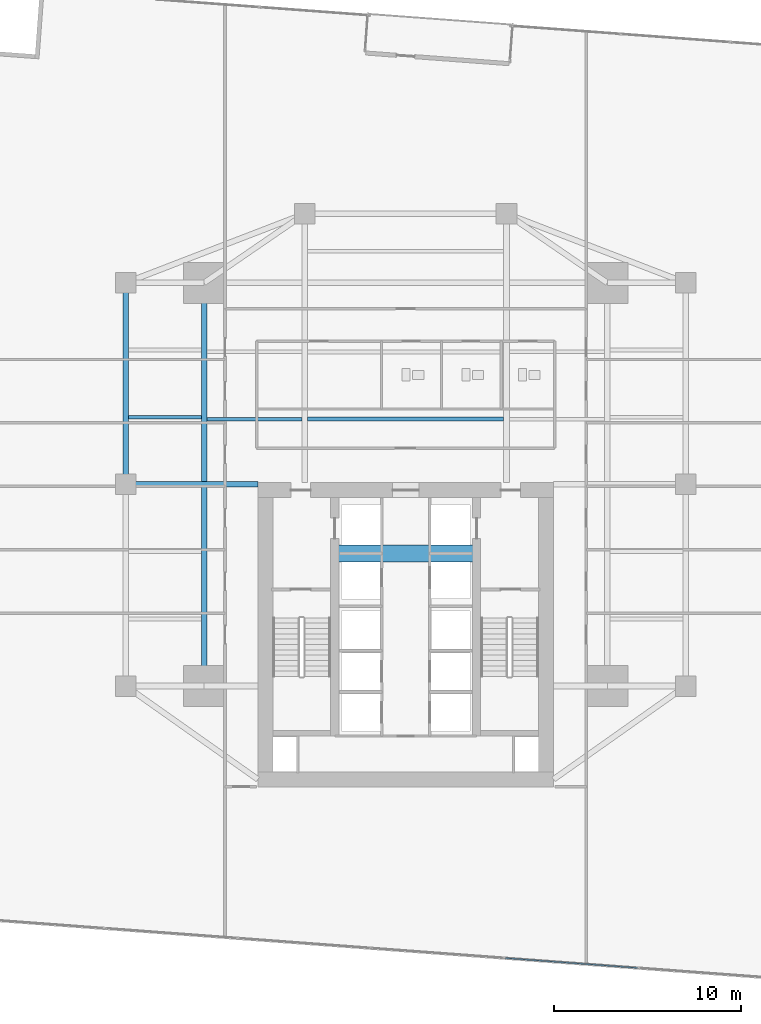
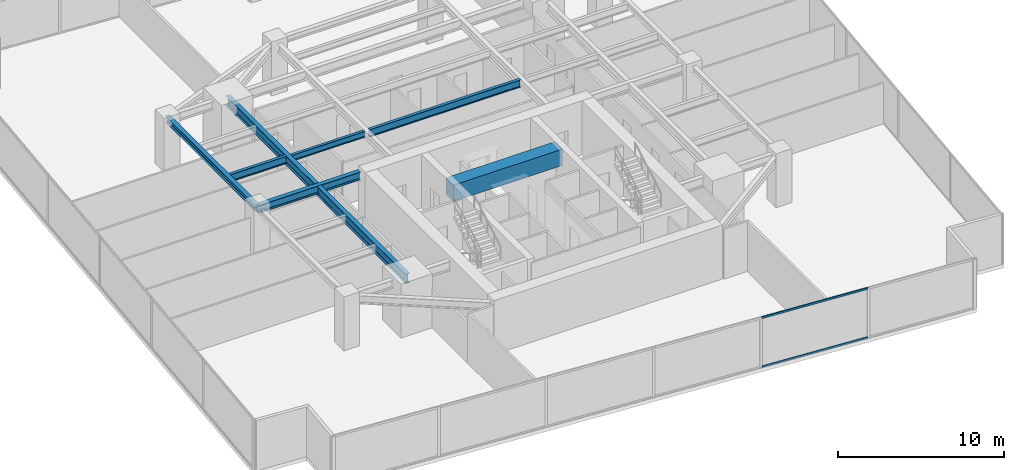
# One storey, part 11 of 30: 7 beams, 2 members, 1 element without a shape of its own.
"""IFC4 building model written with IfcOpenShell, lengths in metres."""

from ifc_helpers import new_model, si_unit, direction, frame, origin, origin_2d, place, context, subcontext, project, spatial, rectangle, hollow_rectangle, i_section, extrude, source, transform, mapped, material, material_profile, profile_set, type_object, type_shapes, element, aggregate, save


model = new_model("IFC4")

# Units and contexts
model_context = context("Model", 3, precision=1e-05, world=origin(), true_north=direction((0.0, 1.0)))
body_context = subcontext(model_context, "Body", "Model", "MODEL_VIEW")
ifc_project = project(units=[si_unit("LENGTHUNIT", "METRE"), si_unit("AREAUNIT", "SQUARE_METRE"), si_unit("VOLUMEUNIT", "CUBIC_METRE"), si_unit("PLANEANGLEUNIT", "RADIAN"), si_unit("MASSUNIT", "GRAM", prefix="KILO")], contexts=[model_context])

# Site, building, storey
site_placement = place(None, origin())
site = spatial("IfcSite", under=ifc_project, at=site_placement, CompositionType="ELEMENT")
building_placement = place(site_placement, origin())
building = spatial("IfcBuilding", under=site, at=building_placement, Name="Krantzveldt Concourse Tower", CompositionType="ELEMENT")
storey_placement = place(building_placement, frame((0.0, 0.0, 52.64990234375)))
storey = spatial("IfcBuildingStorey", under=building, at=storey_placement, Name="L12", CompositionType="ELEMENT", Elevation=52.64990234375)

# Beams
ifc_material_1 = material(Name="Concrete C50/60", Category="concrete")
ifc_material_profile_1 = material_profile(ifc_material_1, rectangle(XDim=0.89990234375, YDim=1.199951171875, at=origin_2d()), Name="Concrete C50/60", Category="concrete")
ifc_profile_set_1 = profile_set([ifc_material_profile_1], Name="Concrete C50/60 - RC-CB 900x1200")
beam_type_1 = type_object("IfcBeamType", Name="BM-CB-1200", PredefinedType="LINTEL", material=ifc_profile_set_1)
shared_shape_1 = source(origin(), body_context, "Body", "SweptSolid", [
    extrude(rectangle(XDim=0.89990234375, YDim=1.199951171875, at=origin_2d()), origin(), (0.0, 0.0, 1.0), 7.580078125),
])
type_shapes(beam_type_1, [shared_shape_1])
beam_1_placement = place(storey_placement, frame((32.2099609375, 23.0, 3.070068359375), z_axis=(1.0, 0.0, 0.0), x_axis=(0.0, 1.0, 0.0)))
element("IfcBeam", 1, at=beam_1_placement, inside=storey, type_object=beam_type_1, Name="CB-L12-01", PredefinedType="LINTEL", context=body_context, shape_type="MappedRepresentation", body=[
    mapped(shared_shape_1, transform((0.0, 0.0, 0.0), x_axis=(1.0, 0.0, 0.0), y_axis=(0.0, 1.0, 0.0), z_axis=(0.0, 0.0, 1.0), scale=1.0)),
])
ifc_material_2 = material(Name="Steel S355J2", Category="steel")
ifc_material_profile_2 = material_profile(ifc_material_2, i_section(OverallWidth=0.300048828125, OverallDepth=0.699951171875, WebThickness=0.01708984375, FlangeThickness=0.031982421875, FilletRadius=0.027099609375, at=origin_2d()), Name="Steel S355J2", Category="steel")
ifc_profile_set_2 = profile_set([ifc_material_profile_2], Name="Steel S355J2 - HEB 700")
beam_type_2 = type_object("IfcBeamType", Name="BM-B-HEB700", PredefinedType="BEAM", material=ifc_profile_set_2)
shared_shape_2 = source(origin(), body_context, "Body", "SweptSolid", [
    extrude(i_section(OverallWidth=0.300048828125, OverallDepth=0.699951171875, WebThickness=0.01708984375, FlangeThickness=0.031982421875, FilletRadius=0.027099609375, at=origin_2d()), origin(), (0.0, 0.0, 1.0), 21.60009765625),
])
type_shapes(beam_type_2, [shared_shape_2])
beam_2_placement = place(storey_placement, frame((25.199951171875, 15.89990234375, 3.320068359375), z_axis=(0.0, 1.0, 0.0), x_axis=(-1.0, 0.0, 0.0)))
element("IfcBeam", 2, at=beam_2_placement, inside=storey, type_object=beam_type_2, Name="L12 Tower Girder BG-MW", PredefinedType="BEAM", context=body_context, shape_type="MappedRepresentation", body=[
    mapped(shared_shape_2, transform((0.0, 0.0, 0.0), x_axis=(1.0, 0.0, 0.0), y_axis=(0.0, 1.0, 0.0), z_axis=(0.0, 0.0, 1.0), scale=1.0)),
])
ifc_material_3 = material(Name="Steel S355JR", Category="steel")
ifc_material_profile_3 = material_profile(ifc_material_3, i_section(OverallWidth=0.300048828125, OverallDepth=0.590087890625, WebThickness=0.012939453125, FlangeThickness=0.02490234375, FilletRadius=0.027099609375, at=origin_2d()), Name="Steel S355JR", Category="steel")
ifc_profile_set_3 = profile_set([ifc_material_profile_3], Name="Steel S355JR - HEA 600")
beam_type_3 = type_object("IfcBeamType", Name="BM-B-HEA600", PredefinedType="BEAM", material=ifc_profile_set_3)
shared_shape_3 = source(origin(), body_context, "Body", "SweptSolid", [
    extrude(i_section(OverallWidth=0.300048828125, OverallDepth=0.590087890625, WebThickness=0.012939453125, FlangeThickness=0.02490234375, FilletRadius=0.027099609375, at=origin_2d()), origin(), (0.0, 0.0, 1.0), 7.080078125),
])
type_shapes(beam_type_3, [shared_shape_3])
beam_3_placement = place(storey_placement, frame((21.0, 26.699951171875, 3.375), z_axis=(1.0, 0.0, 0.0), x_axis=(0.0, 1.0, 0.0)))
element("IfcBeam", 3, at=beam_3_placement, inside=storey, type_object=beam_type_3, Name="L12 Tower Girder BG-CW2", PredefinedType="BEAM", context=body_context, shape_type="MappedRepresentation", body=[
    mapped(shared_shape_3, transform((0.0, 0.0, 0.0), x_axis=(1.0, 0.0, 0.0), y_axis=(0.0, 1.0, 0.0), z_axis=(0.0, 0.0, 1.0), scale=1.0)),
])
ifc_material_profile_4 = material_profile(ifc_material_3, i_section(OverallWidth=0.300048828125, OverallDepth=0.43994140625, WebThickness=0.011474609375, FlangeThickness=0.02099609375, FilletRadius=0.027099609375, at=origin_2d()), Name="Steel S355JR", Category="steel")
ifc_profile_set_4 = profile_set([ifc_material_profile_4], Name="Steel S355JR - HEA 450")
beam_type_4 = type_object("IfcBeamType", Name="BM-SP-HEA450", PredefinedType="SPANDREL", material=ifc_profile_set_4)
shared_shape_4 = source(origin(), body_context, "Body", "SweptSolid", [
    extrude(i_section(OverallWidth=0.300048828125, OverallDepth=0.43994140625, WebThickness=0.011474609375, FlangeThickness=0.02099609375, FilletRadius=0.027099609375, at=origin_2d()), origin(), (0.0, 0.0, 1.0), 10.800048828125),
])
type_shapes(beam_type_4, [shared_shape_4])
beam_4_placement = place(storey_placement, frame((21.0, 26.699951171875, 3.4501953125), z_axis=(0.0, 1.0, 0.0), x_axis=(-1.0, 0.0, 0.0)))
element("IfcBeam", 4, at=beam_4_placement, inside=storey, type_object=beam_type_4, Name="L12 Tower Girder SP-R02", PredefinedType="SPANDREL", context=body_context, shape_type="MappedRepresentation", body=[
    mapped(shared_shape_4, transform((0.0, 0.0, 0.0), x_axis=(1.0, 0.0, 0.0), y_axis=(0.0, 1.0, 0.0), z_axis=(0.0, 0.0, 1.0), scale=1.0)),
])
ifc_material_profile_5 = material_profile(ifc_material_3, i_section(OverallWidth=0.2099609375, OverallDepth=0.550048828125, WebThickness=0.010986328125, FlangeThickness=0.01708984375, FilletRadius=0.02392578125, at=origin_2d()), Name="Steel S355JR", Category="steel")
ifc_profile_set_5 = profile_set([ifc_material_profile_5], Name="Steel S355JR - IPE 550")
beam_type_5 = type_object("IfcBeamType", Name="BM-J-IPE550", PredefinedType="JOIST", material=ifc_profile_set_5)
shared_shape_5 = source(origin(), body_context, "Body", "SweptSolid", [
    extrude(i_section(OverallWidth=0.2099609375, OverallDepth=0.550048828125, WebThickness=0.010986328125, FlangeThickness=0.01708984375, FilletRadius=0.02392578125, at=origin_2d()), origin(), (0.0, 0.0, 1.0), 10.5),
])
beam_5_placement = place(storey_placement, frame((30.75, 30.199951171875, 3.39501953125), z_axis=(1.0, 0.0, 0.0), x_axis=(0.0, 1.0, 0.0)))
element("IfcBeam", 5, at=beam_5_placement, inside=storey, type_object=beam_type_5, Name="L12 Secondary Floor Joist JN-C1", PredefinedType="JOIST", context=body_context, shape_type="MappedRepresentation", body=[
    mapped(shared_shape_5, transform((0.0, 0.0, 0.0), x_axis=(1.0, 0.0, 0.0), y_axis=(0.0, 1.0, 0.0), z_axis=(0.0, 0.0, 1.0), scale=1.0)),
])
ifc_material_profile_6 = material_profile(ifc_material_3, i_section(OverallWidth=0.18994140625, OverallDepth=0.449951171875, WebThickness=0.009521484375, FlangeThickness=0.0146484375, FilletRadius=0.02099609375, at=origin_2d()), Name="Steel S355JR", Category="steel")
ifc_profile_set_6 = profile_set([ifc_material_profile_6], Name="Steel S355JR - IPE 450")
beam_type_6 = type_object("IfcBeamType", Name="BM-J-IPE450", PredefinedType="JOIST", material=ifc_profile_set_6)
shared_shape_6 = source(origin(), body_context, "Body", "SweptSolid", [
    extrude(i_section(OverallWidth=0.18994140625, OverallDepth=0.449951171875, WebThickness=0.009521484375, FlangeThickness=0.0146484375, FilletRadius=0.02099609375, at=origin_2d()), origin(), (0.0, 0.0, 1.0), 5.099853515625),
])
type_shapes(beam_type_6, [shared_shape_6])
beam_6_placement = place(storey_placement, frame((25.35009765625, 30.199951171875, 3.445068359375), z_axis=(1.0, 0.0, 0.0), x_axis=(0.0, 1.0, 0.0)))
element("IfcBeam", 6, at=beam_6_placement, inside=storey, type_object=beam_type_6, Name="L12 Secondary Floor Joist JN-W1", PredefinedType="JOIST", context=body_context, shape_type="MappedRepresentation", body=[
    mapped(shared_shape_6, transform((0.0, 0.0, 0.0), x_axis=(1.0, 0.0, 0.0), y_axis=(0.0, 1.0, 0.0), z_axis=(0.0, 0.0, 1.0), scale=1.0)),
])
shared_shape_7 = source(origin(), body_context, "Body", "SweptSolid", [
    extrude(i_section(OverallWidth=0.2099609375, OverallDepth=0.550048828125, WebThickness=0.010986328125, FlangeThickness=0.01708984375, FilletRadius=0.02392578125, at=origin_2d()), origin(), (0.0, 0.0, 1.0), 3.900146484375),
])
type_shapes(beam_type_5, [shared_shape_5, shared_shape_7])
beam_7_placement = place(storey_placement, frame((21.14990234375, 30.300048828125, 3.39501953125), z_axis=(1.0, 0.0, 0.0), x_axis=(0.0, 1.0, 0.0)))
element("IfcBeam", 7, at=beam_7_placement, inside=storey, type_object=beam_type_5, Name="L12 Secondary Floor Joist JW-3", PredefinedType="JOIST", context=body_context, shape_type="MappedRepresentation", body=[
    mapped(shared_shape_7, transform((0.0, 0.0, 0.0), x_axis=(1.0, 0.0, 0.0), y_axis=(0.0, 1.0, 0.0), z_axis=(0.0, 0.0, 1.0), scale=1.0)),
])

# Curtain wall, members
ifc_material_4 = material(Name="Anodised aluminium 6063-T6", Category="aluminium")
curtain_wall_type = type_object("IfcCurtainWallType", Name="CW2", PredefinedType="USERDEFINED", material=ifc_material_4)
curtain_wall_placement = place(storey_placement, origin())
curtain_wall = element("IfcCurtainWall", 8, at=curtain_wall_placement, inside=storey, type_object=curtain_wall_type, Name="CW-L12-F04", ObjectType="UNITISED CURTAIN WALL", PredefinedType="USERDEFINED")
ifc_material_profile_7 = material_profile(ifc_material_4, hollow_rectangle(XDim=0.070068359375, YDim=0.139892578125, WallThickness=0.0048828125, at=origin_2d()), Name="Anodised aluminium 6063-T6", Category="aluminium")
ifc_profile_set_7 = profile_set([ifc_material_profile_7], Name="Anodised aluminium 6063-T6 - ALU-TRAN 140x70x5")
member_type = type_object("IfcMemberType", Name="CW-TRN-150", PredefinedType="USERDEFINED", material=ifc_profile_set_7)
shared_shape_8 = source(origin(), body_context, "Body", "SweptSolid", [
    extrude(hollow_rectangle(XDim=0.070068359375, YDim=0.139892578125, WallThickness=0.0048828125, at=origin_2d()), origin(), (0.0, 0.0, 1.0), 7.0966796875),
])
type_shapes(member_type, [shared_shape_8])
member_1_placement = place(storey_placement, frame((41.3359375, 1.32470703125, 0.03515625), z_axis=(0.997250644028, -0.074102314311, 0.0), x_axis=(0.074102314311, 0.997250644028, 0.0)))
member_1 = element("IfcMember", 9, at=member_1_placement, type_object=member_type, Name="CW-Z12 transom 5.1", ObjectType="TRANSOM", PredefinedType="USERDEFINED", context=body_context, shape_type="MappedRepresentation", body=[
    mapped(shared_shape_8, transform((0.0, 0.0, 0.0), x_axis=(1.0, 0.0, 0.0), y_axis=(0.0, 1.0, 0.0), z_axis=(0.0, 0.0, 1.0), scale=1.0)),
])
member_2_placement = place(storey_placement, frame((41.3359375, 1.32470703125, 3.635009765625), z_axis=(0.997250644028, -0.074102314311, 0.0), x_axis=(0.074102314311, 0.997250644028, 0.0)))
member_2 = element("IfcMember", 10, at=member_2_placement, type_object=member_type, Name="CW-Z12 transom 5.2", ObjectType="TRANSOM", PredefinedType="USERDEFINED", context=body_context, shape_type="MappedRepresentation", body=[
    mapped(shared_shape_8, transform((0.0, 0.0, 0.0), x_axis=(1.0, 0.0, 0.0), y_axis=(0.0, 1.0, 0.0), z_axis=(0.0, 0.0, 1.0), scale=1.0)),
])
aggregate(curtain_wall, [member_1, member_2])

save(model, "model.ifc")
